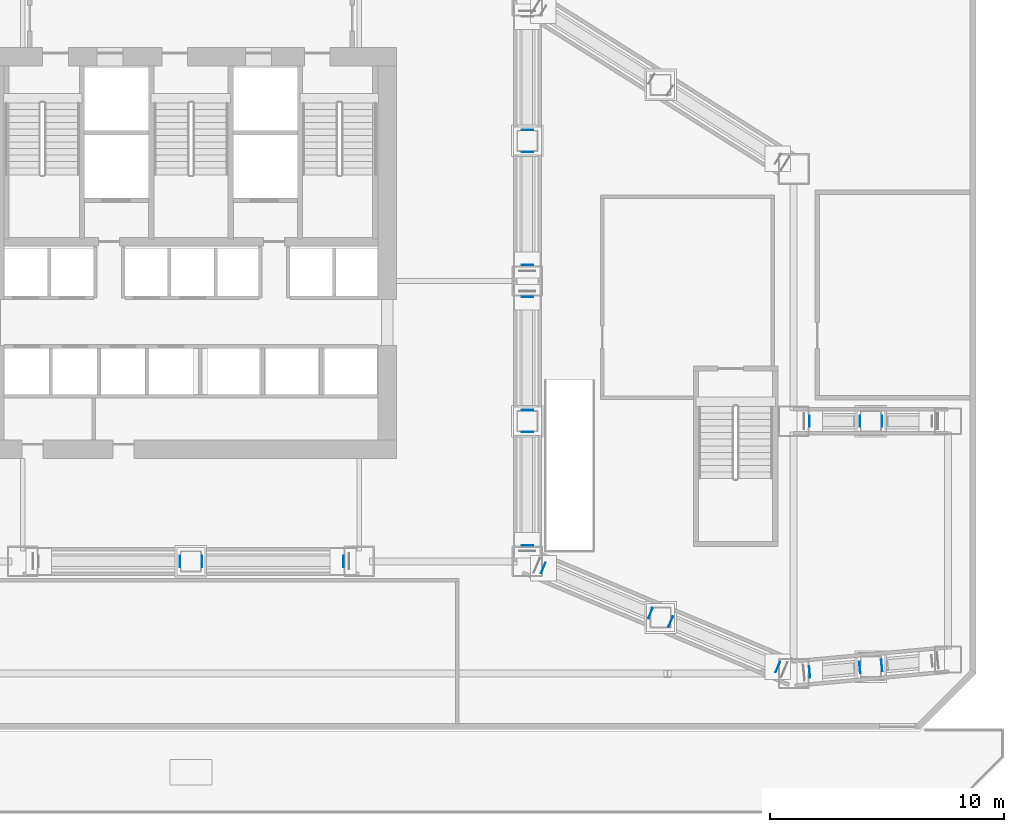
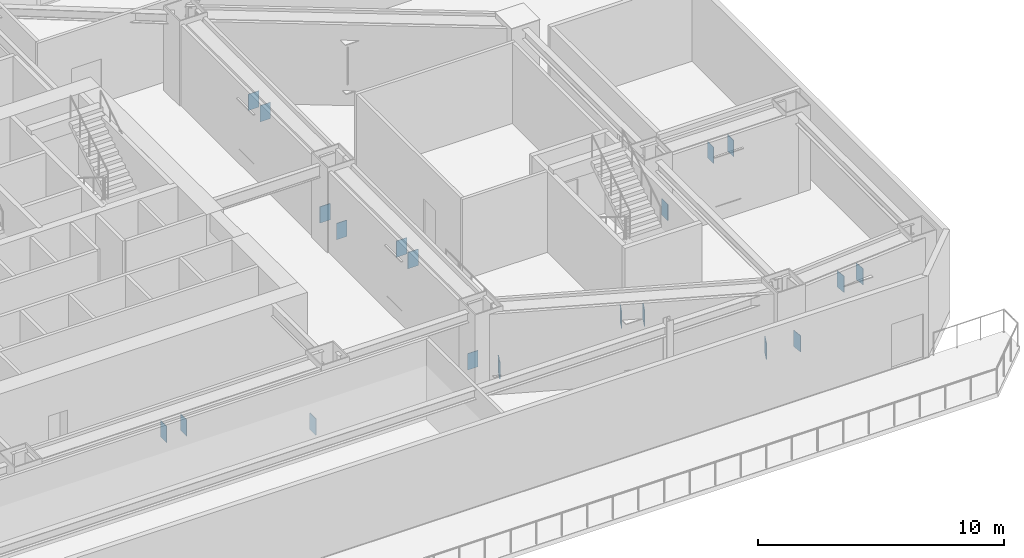
# One storey, part 28 of 39: 20 plates.
"""IFC4 building model written with IfcOpenShell, lengths in metres."""

from ifc_helpers import new_model, si_unit, direction, frame, origin, origin_2d, place, context, subcontext, project, spatial, rectangle, extrude, material, layer, layer_set, type_object, element, save


model = new_model("IFC4")

# Units and contexts
model_context = context("Model", 3, precision=1e-05, world=origin(), true_north=direction((0.0, 1.0)))
body_context = subcontext(model_context, "Body", "Model", "MODEL_VIEW")
ifc_project = project(units=[si_unit("LENGTHUNIT", "METRE"), si_unit("AREAUNIT", "SQUARE_METRE"), si_unit("VOLUMEUNIT", "CUBIC_METRE"), si_unit("PLANEANGLEUNIT", "RADIAN"), si_unit("MASSUNIT", "GRAM", prefix="KILO")], contexts=[model_context])

# Site, building, storey
site_placement = place(None, origin())
site = spatial("IfcSite", under=ifc_project, at=site_placement, CompositionType="ELEMENT")
building_placement = place(site_placement, origin())
building = spatial("IfcBuilding", under=site, at=building_placement, Name="Haolan Belvedere Tower", CompositionType="ELEMENT")
storey_placement = place(building_placement, frame((0.0, 0.0, 19.800048828125)))
storey = spatial("IfcBuildingStorey", under=building, at=storey_placement, Name="L04", CompositionType="ELEMENT", Elevation=19.800048828125)

# Plates
ifc_material = material(Name="Steel Q355B", Category="steel")
ifc_layer = layer(ifc_material, 0.02490234375, Name="Steel Q355B")
ifc_layer_set = layer_set([ifc_layer], Name="Steel Q355B")
plate_type = type_object("IfcPlateType", Name="PL-CAP-25", PredefinedType="SHEET", material=ifc_layer_set)
for number, where, z_axis, x_axis, name in (
    (1, (52.800048828125, 22.278564453125, 0.530029296875), (0.0, 0.0, 1.0), (1.0, 0.0, 0.0), "Hollow steel end-cap plate TT-T3-E1-DG1-CAP0"),
    (2, (52.800048828125, 27.131591796875, 2.599853515625), (0.0, 0.0, 1.0), (-1.0, 0.0, 0.0), "Hollow steel end-cap plate TT-T3-E1-DG1-CAP1"),
    (3, (52.800048828125, 32.92138671875, 0.530029296875), (0.0, 0.0, 1.0), (-1.0, 0.0, 0.0), "Hollow steel end-cap plate TT-T3-E1-DG2-CAP0"),
    (4, (52.800048828125, 28.068603515625, 2.599853515625), (0.0, 0.0, 1.0), (1.0, 0.0, 0.0), "Hollow steel end-cap plate TT-T3-E1-DG2-CAP1"),
    (5, (52.800048828125, 34.278564453125, 0.530029296875), (0.0, 0.0, 1.0), (1.0, 0.0, 0.0), "Hollow steel end-cap plate TT-T3-E2-DG1-CAP0"),
    (6, (52.800048828125, 39.131591796875, 2.599853515625), (0.0, 0.0, 1.0), (-1.0, 0.0, 0.0), "Hollow steel end-cap plate TT-T3-E2-DG1-CAP1"),
    (7, (52.800048828125, 40.068603515625, 2.599853515625), (0.0, 0.0, 1.0), (1.0, 0.0, 0.0), "Hollow steel end-cap plate TT-T3-E2-DG2-CAP1"),
    (8, (37.931884765625, 21.60009765625, 2.598876953125), (0.0, 0.0, 1.0), (0.0, 1.0, 0.0), "Hollow steel end-cap plate TT-T3-SM-DG1-CAP1"),
    (9, (44.921875, 21.60009765625, 0.53076171875), (0.0, 0.0, 1.0), (0.0, 1.0, 0.0), "Hollow steel end-cap plate TT-T3-SM-DG2-CAP0"),
    (10, (38.8681640625, 21.60009765625, 2.598876953125), (0.0, 0.0, 1.0), (0.0, -1.0, 0.0), "Hollow steel end-cap plate TT-T3-SM-DG2-CAP1"),
    (11, (53.476318359375, 21.315185546875, 0.530029296875), (0.0, 0.0, 1.0), (-0.388062562797, -0.921633032912, 0.0), "Hollow steel end-cap plate TT-T4-S-DG1-CAP0"),
    (12, (58.068359375, 19.3818359375, 2.599609375), (0.0, 0.0, 1.0), (0.388062562797, 0.921633032912, 0.0), "Hollow steel end-cap plate TT-T4-S-DG1-CAP1"),
    (13, (63.523681640625, 17.084716796875, 0.530029296875), (0.0, 0.0, 1.0), (0.388062562797, 0.921633032912, 0.0), "Hollow steel end-cap plate TT-T4-S-DG2-CAP0"),
    (14, (58.931640625, 19.01806640625, 2.599609375), (0.0, 0.0, 1.0), (-0.388062562797, -0.921633032912, 0.0), "Hollow steel end-cap plate TT-T4-S-DG2-CAP1"),
    (15, (64.880859375, 16.86181640625, 0.5263671875), (0.0, 0.0, 1.0), (0.09051090929, -0.995895464042, 0.0), "Hollow steel end-cap plate TT-T5-S-DG1-CAP0"),
    (16, (67.031005859375, 17.057373046875, 2.603515625), (0.0, 0.0, 1.0), (-0.09051090929, 0.995895464042, 0.0), "Hollow steel end-cap plate TT-T5-S-DG1-CAP1"),
    (17, (67.968994140625, 17.142578125, 2.603515625), (0.0, 0.0, 1.0), (0.09051090929, -0.995895464042, 0.0), "Hollow steel end-cap plate TT-T5-S-DG2-CAP1"),
    (18, (64.881103515625, 27.60009765625, 0.526123046875), (0.0, 0.0, 1.0), (0.0, -1.0, 0.0), "Hollow steel end-cap plate TT-T5-N-DG1-CAP0"),
    (19, (67.029052734375, 27.60009765625, 2.603515625), (0.0, 0.0, 1.0), (0.0, 1.0, 0.0), "Hollow steel end-cap plate TT-T5-N-DG1-CAP1"),
    (20, (67.970947265625, 27.60009765625, 2.603515625), (0.0, 0.0, 1.0), (0.0, -1.0, 0.0), "Hollow steel end-cap plate TT-T5-N-DG2-CAP1"),
):
    element("IfcPlate", number, at=place(storey_placement, frame(where, z_axis=z_axis, x_axis=x_axis)), inside=storey, type_object=plate_type, Name=name, PredefinedType="SHEET", context=body_context, shape_type="SweptSolid", body=[
        extrude(rectangle(XDim=0.489990234375, YDim=0.02490234375, at=origin_2d()), origin(), (0.0, 0.0, 1.0), 0.81005859375),
    ])

save(model, "model.ifc")
